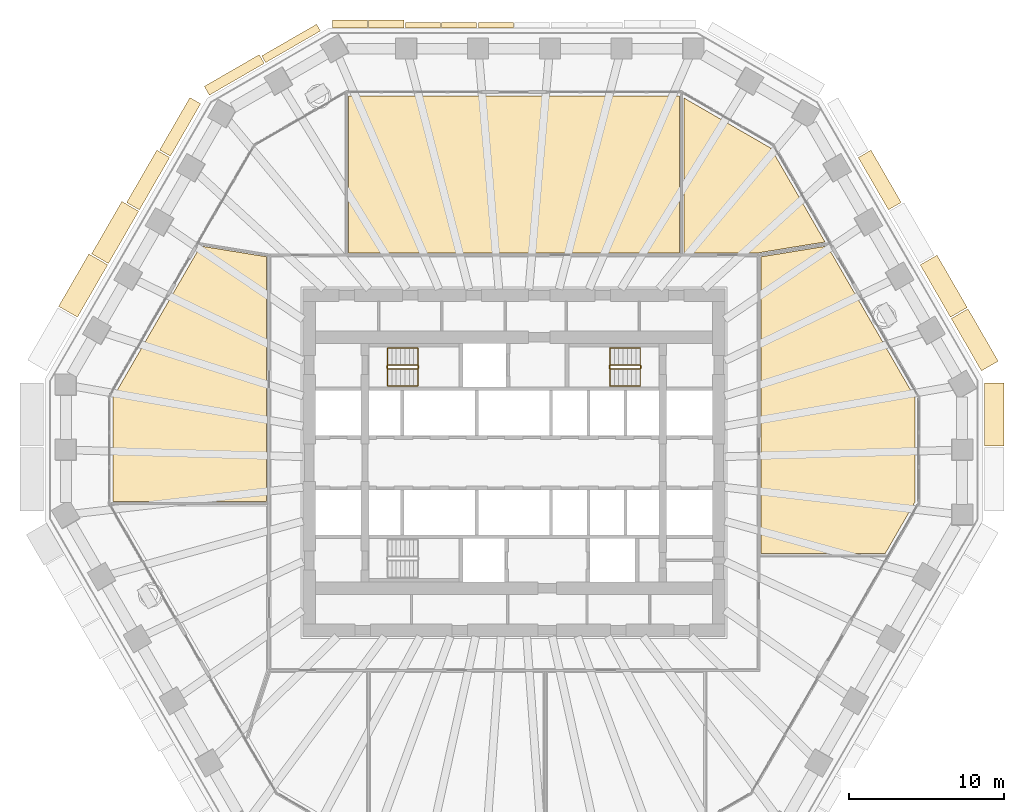
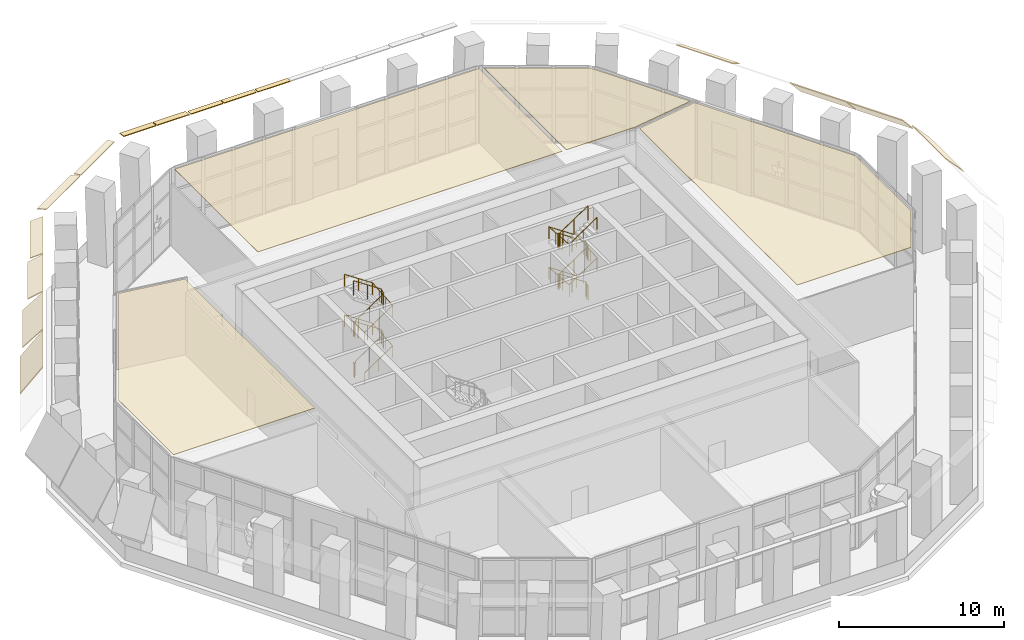
# One storey, part 19 of 22: 19 coverings, 4 railings.
"""IFC4 building model written with IfcOpenShell, lengths in metres."""

from ifc_helpers import new_model, si_unit, direction, frame, origin, origin_2d, place, context, subcontext, project, spatial, polyline, circle, outline, extrude, material, layer, layer_set, type_object, element, save


model = new_model("IFC4")

# Units and contexts
model_context = context("Model", 3, precision=1e-05, world=origin(), true_north=direction((0.0, 1.0)))
body_context = subcontext(model_context, "Body", "Model", "MODEL_VIEW")
ifc_project = project(units=[si_unit("LENGTHUNIT", "METRE"), si_unit("AREAUNIT", "SQUARE_METRE"), si_unit("VOLUMEUNIT", "CUBIC_METRE"), si_unit("PLANEANGLEUNIT", "RADIAN"), si_unit("MASSUNIT", "GRAM", prefix="KILO")], contexts=[model_context])

# Site, building, storey
site_placement = place(None, origin())
site = spatial("IfcSite", under=ifc_project, at=site_placement, CompositionType="ELEMENT")
building_placement = place(site_placement, origin())
building = spatial("IfcBuilding", under=site, at=building_placement, Name="Frailejon Research Tower", CompositionType="ELEMENT")
storey_placement = place(building_placement, frame((0.0, 0.0, 107.199951171875)))
storey = spatial("IfcBuildingStorey", under=building, at=storey_placement, Name="L23", CompositionType="ELEMENT", Elevation=107.199951171875)

# Coverings
ifc_material_1 = material(Name="Precast concrete C50/60", Category="concrete")
ifc_layer_1 = layer(ifc_material_1, 0.06005859375)
ifc_layer_set_1 = layer_set([ifc_layer_1], Name="Brim blade depth 1250")
covering_type_1 = type_object("IfcCoveringType", Name="Brim blade depth 1250", PredefinedType="CLADDING", material=ifc_layer_set_1)
covering_1_placement = place(storey_placement, frame((30.3505859375, 5.15576171875, 5.85009765625), z_axis=(0.0, -1.0, 0.0), x_axis=(1.0, 0.0, 0.0)))
element("IfcCovering", 1, at=covering_1_placement, inside=storey, type_object=covering_type_1, Name="Brim blade L23", PredefinedType="CLADDING", context=body_context, shape_type="SweptSolid", body=[
    extrude(outline(polyline([(0.0, -0.0888671875), (1.25, -1.452880859375), (1.25, -1.364013671875), (0.0, 0.0), (0.0, -0.0888671875)])), origin(), (0.0, 0.0, 1.0), 4.087646484375),
])
for number, where, z_axis, x_axis, name in (
    (2, (28.1962890625, 9.298828125, 5.85009765625), (0.500003286261, -0.866023506452, 0.0), (0.866023506452, 0.500003286261, 0.0), "Brim blade L23"),
    (3, (26.197998046875, 12.760009765625, 5.85009765625), (0.500003286261, -0.866023506452, 0.0), (0.866023506452, 0.500003286261, 0.0), "Brim blade L23"),
):
    element("IfcCovering", number, at=place(storey_placement, frame(where, z_axis=z_axis, x_axis=x_axis)), inside=storey, type_object=covering_type_1, Name=name, PredefinedType="CLADDING", context=body_context, shape_type="SweptSolid", body=[
        extrude(outline(polyline([(0.0, -0.0888671875), (1.25, -1.452880859375), (1.25, -1.364013671875), (0.0, 0.0), (0.0, -0.0888671875)])), origin(), (0.0, 0.0, 1.0), 3.896728515625),
    ])
covering_2_placement = place(storey_placement, frame((-26.14794921875, 12.8466796875, 5.85009765625), z_axis=(0.499992452251, 0.866029761435, 0.0), x_axis=(-0.866029761435, 0.499992452251, 0.0)))
element("IfcCovering", 4, at=covering_2_placement, inside=storey, type_object=covering_type_1, Name="Brim blade L23", PredefinedType="CLADDING", context=body_context, shape_type="SweptSolid", body=[
    extrude(outline(polyline([(0.0, -0.0888671875), (1.25, -1.452880859375), (1.25, -1.364013671875), (0.0, 0.0), (0.0, -0.0888671875)])), origin(), (0.0, 0.0, 1.0), 3.89697265625),
])
ifc_material_2 = material(Name="Precast concrete C50/60", Category="concrete")
ifc_layer_2 = layer(ifc_material_2, 0.06005859375)
ifc_layer_set_2 = layer_set([ifc_layer_2], Name="Brim blade depth 1400")
covering_type_2 = type_object("IfcCoveringType", Name="Brim blade depth 1400", PredefinedType="CLADDING", material=ifc_layer_set_2)
covering_3_placement = place(storey_placement, frame((-28.146484375, 9.385498046875, 5.85009765625), z_axis=(0.500003286261, 0.866023506452, 0.0), x_axis=(-0.866023506452, 0.500003286261, 0.0)))
element("IfcCovering", 5, at=covering_3_placement, inside=storey, type_object=covering_type_2, Name="Brim blade L23", PredefinedType="CLADDING", context=body_context, shape_type="SweptSolid", body=[
    extrude(outline(polyline([(0.0, -0.1044921875), (1.39990234375, -2.10400390625), (1.39990234375, -1.99951171875), (0.0, 0.0), (0.0, -0.1044921875)])), origin(), (0.0, 0.0, 1.0), 3.896728515625),
])
ifc_material_3 = material(Name="Precast concrete C50/60", Category="concrete")
ifc_layer_3 = layer(ifc_material_3, 0.06005859375)
ifc_layer_set_3 = layer_set([ifc_layer_3], Name="Brim blade depth 350")
covering_type_3 = type_object("IfcCoveringType", Name="Brim blade depth 350", PredefinedType="CLADDING", material=ifc_layer_set_3)
covering_4_placement = place(storey_placement, frame((-2.301025390625, 28.050048828125, 5.85009765625), z_axis=(1.0, 0.0, 0.0), x_axis=(0.0, 1.0, 0.0)))
element("IfcCovering", 6, at=covering_4_placement, inside=storey, type_object=covering_type_3, Name="Brim blade L23", PredefinedType="CLADDING", context=body_context, shape_type="SweptSolid", body=[
    extrude(outline(polyline([(0.0, -0.06005859375), (0.35009765625, -0.06005859375), (0.35009765625, 0.0), (0.0, 0.0), (0.0, -0.06005859375)])), origin(), (0.0, 0.0, 1.0), 2.27099609375),
])
for number, where, z_axis, x_axis, name in (
    (7, (-4.67236328125, 28.050048828125, 5.85009765625), (1.0, 0.0, 0.0), (0.0, 1.0, 0.0), "Brim blade L23"),
    (8, (-7.00341796875, 28.050048828125, 5.85009765625), (1.0, 0.0, 0.0), (0.0, 1.0, 0.0), "Brim blade L23"),
):
    element("IfcCovering", number, at=place(storey_placement, frame(where, z_axis=z_axis, x_axis=x_axis)), inside=storey, type_object=covering_type_3, Name=name, PredefinedType="CLADDING", context=body_context, shape_type="SweptSolid", body=[
        extrude(outline(polyline([(0.0, -0.06005859375), (0.35009765625, -0.06005859375), (0.35009765625, 0.0), (0.0, 0.0), (0.0, -0.06005859375)])), origin(), (0.0, 0.0, 1.0), 2.271240234375),
    ])
ifc_material_4 = material(Name="Precast concrete C50/60", Category="concrete")
ifc_layer_4 = layer(ifc_material_4, 0.06005859375)
ifc_layer_set_4 = layer_set([ifc_layer_4], Name="Brim blade depth 500")
covering_type_4 = type_object("IfcCoveringType", Name="Brim blade depth 500", PredefinedType="CLADDING", material=ifc_layer_set_4)
for number, where, z_axis, x_axis, name in (
    (9, (-9.37451171875, 28.050048828125, 5.85009765625), (1.0, 0.0, 0.0), (0.0, 1.0, 0.0), "Brim blade L23"),
    (10, (-11.70556640625, 28.050048828125, 5.85009765625), (1.0, 0.0, 0.0), (0.0, 1.0, 0.0), "Brim blade L23"),
):
    element("IfcCovering", number, at=place(storey_placement, frame(where, z_axis=z_axis, x_axis=x_axis)), inside=storey, type_object=covering_type_4, Name=name, PredefinedType="CLADDING", context=body_context, shape_type="SweptSolid", body=[
        extrude(outline(polyline([(0.0, -0.060546875), (0.5, -0.130859375), (0.5, -0.0703125), (0.0, 0.0), (0.0, -0.060546875)])), origin(), (0.0, 0.0, 1.0), 2.27099609375),
    ])
covering_5_placement = place(storey_placement, frame((-16.013916015625, 25.80029296875, 5.85009765625), z_axis=(0.866021344981, 0.500007029989, 0.0), x_axis=(-0.500007029989, 0.866021344981, 0.0)))
element("IfcCovering", 11, at=covering_5_placement, inside=storey, type_object=covering_type_4, Name="Brim blade L23", PredefinedType="CLADDING", context=body_context, shape_type="SweptSolid", body=[
    extrude(outline(polyline([(0.0, -0.060546875), (0.5, -0.130859375), (0.5, -0.0703125), (0.0, 0.0), (0.0, -0.060546875)])), origin(), (0.0, 0.0, 1.0), 4.08740234375),
])
ifc_material_5 = material(Name="Precast concrete C50/60", Category="concrete")
ifc_layer_5 = layer(ifc_material_5, 0.06005859375)
ifc_layer_set_5 = layer_set([ifc_layer_5], Name="Brim blade depth 650")
covering_type_5 = type_object("IfcCoveringType", Name="Brim blade depth 650", PredefinedType="CLADDING", material=ifc_layer_set_5)
covering_6_placement = place(storey_placement, frame((-19.640380859375, 23.70654296875, 5.85009765625), z_axis=(0.866027315287, 0.499996689166, 0.0), x_axis=(-0.499996689166, 0.866027315287, 0.0)))
element("IfcCovering", 12, at=covering_6_placement, inside=storey, type_object=covering_type_5, Name="Brim blade L23", PredefinedType="CLADDING", context=body_context, shape_type="SweptSolid", body=[
    extrude(outline(polyline([(0.0, -0.0625), (0.64990234375, -0.248779296875), (0.64990234375, -0.186279296875), (0.0, 0.0), (0.0, -0.0625)])), origin(), (0.0, 0.0, 1.0), 4.087646484375),
])
ifc_material_6 = material(Name="Precast concrete C50/60", Category="concrete")
ifc_layer_6 = layer(ifc_material_6, 0.06005859375)
ifc_layer_set_6 = layer_set([ifc_layer_6], Name="Brim blade depth 800")
covering_type_6 = type_object("IfcCoveringType", Name="Brim blade depth 800", PredefinedType="CLADDING", material=ifc_layer_set_6)
covering_7_placement = place(storey_placement, frame((-22.151123046875, 19.769287109375, 5.85009765625), z_axis=(0.500003286261, 0.866023506452, 0.0), x_axis=(-0.866023506452, 0.500003286261, 0.0)))
element("IfcCovering", 13, at=covering_7_placement, inside=storey, type_object=covering_type_6, Name="Brim blade L23", PredefinedType="CLADDING", context=body_context, shape_type="SweptSolid", body=[
    extrude(outline(polyline([(0.0, -0.065673828125), (0.800048828125, -0.421875), (0.800048828125, -0.356201171875), (0.0, 0.0), (0.0, -0.065673828125)])), origin(), (0.0, 0.0, 1.0), 3.896728515625),
])
ifc_material_7 = material(Name="Precast concrete C50/60", Category="concrete")
ifc_layer_7 = layer(ifc_material_7, 0.06005859375)
ifc_layer_set_7 = layer_set([ifc_layer_7], Name="Brim blade depth 950")
covering_type_7 = type_object("IfcCoveringType", Name="Brim blade depth 950", PredefinedType="CLADDING", material=ifc_layer_set_7)
for number, where, z_axis, x_axis, name in (
    (14, (22.201171875, 19.682861328125, 5.85009765625), (0.500003286261, -0.866023506452, 0.0), (0.866023506452, 0.500003286261, 0.0), "Brim blade L23"),
    (15, (-24.149658203125, 16.30810546875, 5.85009765625), (0.500003286261, 0.866023506452, 0.0), (-0.866023506452, 0.500003286261, 0.0), "Brim blade L23"),
):
    element("IfcCovering", number, at=place(storey_placement, frame(where, z_axis=z_axis, x_axis=x_axis)), inside=storey, type_object=covering_type_7, Name=name, PredefinedType="CLADDING", context=body_context, shape_type="SweptSolid", body=[
        extrude(outline(polyline([(0.0, -0.07080078125), (0.949951171875, -0.664306640625), (0.949951171875, -0.593505859375), (0.0, 0.0), (0.0, -0.07080078125)])), origin(), (0.0, 0.0, 1.0), 3.896728515625),
    ])

# Railings
ifc_material_8 = material(Name="Stainless steel", Category="steel")
railing_type_1 = type_object("IfcRailingType", Name="Stair guard 1100", PredefinedType="GUARDRAIL", material=ifc_material_8)
railing_1_placement = place(storey_placement, frame((-8.199951171875, 6.25, 0.0)))
element("IfcRailing", 16, at=railing_1_placement, inside=storey, type_object=railing_type_1, Name="L23 ST1 stair guard 1", PredefinedType="GUARDRAIL", context=body_context, shape_type="SweptSolid", body=[
    extrude(circle(Radius=0.02392578125, at=origin_2d()), frame((0.0, 0.0, 1.076171875), z_axis=(0.0, -1.0, 0.0), x_axis=(1.0, 0.0, 0.0)), (0.0, 0.0, 1.0), 0.14990234375),
    extrude(circle(Radius=0.02392578125, at=origin_2d()), frame((0.0, -0.14990234375, 1.076171875), z_axis=(0.249726431254, -0.249726431254, 0.935560483917), x_axis=(0.707106781187, 0.707106781187, 0.0)), (0.0, 0.0, 1.0), 0.200439453125),
    extrude(circle(Radius=0.02392578125, at=origin_2d()), frame((0.050048828125, -0.199951171875, 1.263671875), z_axis=(0.830902050051, 0.0, 0.556418712142), x_axis=(0.0, 1.0, 0.0)), (0.0, 0.0, 1.0), 2.35888671875),
    extrude(circle(Radius=0.02392578125, at=origin_2d()), frame((2.010009765625, -0.199951171875, 2.576171875), z_axis=(0.707106781187, 0.707106781187, 0.0), x_axis=(-0.707106781187, 0.707106781187, 0.0)), (0.0, 0.0, 1.0), 0.07080078125),
    extrude(circle(Radius=0.02392578125, at=origin_2d()), frame((2.06005859375, -0.14990234375, 2.576171875), z_axis=(0.0, 1.0, 0.0), x_axis=(-1.0, 0.0, 0.0)), (0.0, 0.0, 1.0), 0.14990234375),
    extrude(circle(Radius=0.02392578125, at=origin_2d()), frame((2.06005859375, 0.0, 2.576171875), z_axis=(-0.249726431254, 0.249726431254, 0.935560483917), x_axis=(-0.707106781187, -0.707106781187, 0.0)), (0.0, 0.0, 1.0), 0.200439453125),
    extrude(circle(Radius=0.02392578125, at=origin_2d()), frame((2.010009765625, 0.050048828125, 2.763671875), z_axis=(-0.830902050051, 0.0, 0.556418712142), x_axis=(0.0, -1.0, 0.0)), (0.0, 0.0, 1.0), 2.35888671875),
    extrude(circle(Radius=0.02392578125, at=origin_2d()), frame((0.050048828125, 0.050048828125, 4.076171875), z_axis=(-0.707106781187, -0.707106781187, 0.0), x_axis=(0.707106781187, -0.707106781187, 0.0)), (0.0, 0.0, 1.0), 0.07080078125),
    extrude(circle(Radius=0.02392578125, at=origin_2d()), frame((0.0, 0.0, 4.076171875), z_axis=(0.0, -1.0, 0.0), x_axis=(1.0, 0.0, 0.0)), (0.0, 0.0, 1.0), 0.14990234375),
    extrude(circle(Radius=0.02392578125, at=origin_2d()), frame((0.0, -0.14990234375, 4.076171875), z_axis=(0.249726431254, -0.249726431254, 0.935560483917), x_axis=(0.707106781187, 0.707106781187, 0.0)), (0.0, 0.0, 1.0), 0.200439453125),
    extrude(circle(Radius=0.02392578125, at=origin_2d()), frame((0.050048828125, -0.199951171875, 4.263671875), z_axis=(0.830902050051, 0.0, 0.556418712142), x_axis=(0.0, 1.0, 0.0)), (0.0, 0.0, 1.0), 2.35888671875),
    extrude(circle(Radius=0.02392578125, at=origin_2d()), frame((2.010009765625, -0.199951171875, 5.576171875), z_axis=(0.707106781187, 0.707106781187, 0.0), x_axis=(-0.707106781187, 0.707106781187, 0.0)), (0.0, 0.0, 1.0), 0.07080078125),
    extrude(circle(Radius=0.02392578125, at=origin_2d()), frame((2.06005859375, -0.14990234375, 5.576171875), z_axis=(0.0, 1.0, 0.0), x_axis=(-1.0, 0.0, 0.0)), (0.0, 0.0, 1.0), 0.14990234375),
    extrude(circle(Radius=0.02392578125, at=origin_2d()), frame((2.06005859375, 0.0, 5.576171875), z_axis=(-0.249726431254, 0.249726431254, 0.935560483917), x_axis=(-0.707106781187, -0.707106781187, 0.0)), (0.0, 0.0, 1.0), 0.200439453125),
    extrude(circle(Radius=0.02392578125, at=origin_2d()), frame((2.010009765625, 0.050048828125, 5.763671875), z_axis=(-0.830902050051, 0.0, 0.556418712142), x_axis=(0.0, -1.0, 0.0)), (0.0, 0.0, 1.0), 2.35888671875),
    extrude(circle(Radius=0.02099609375, at=origin_2d()), origin(), (0.0, 0.0, 1.0), 1.052001953125),
    extrude(circle(Radius=0.02099609375, at=origin_2d()), frame((0.0, -0.14990234375, 0.0)), (0.0, 0.0, 1.0), 1.052001953125),
    extrude(circle(Radius=0.02099609375, at=origin_2d()), frame((0.050048828125, -0.199951171875, 0.1875)), (0.0, 0.0, 1.0), 1.052001953125),
    extrude(circle(Radius=0.02099609375, at=origin_2d()), frame((1.030029296875, -0.199951171875, 0.84375)), (0.0, 0.0, 1.0), 1.052001953125),
    extrude(circle(Radius=0.02099609375, at=origin_2d()), frame((2.010009765625, -0.199951171875, 1.5)), (0.0, 0.0, 1.0), 1.052001953125),
    extrude(circle(Radius=0.02099609375, at=origin_2d()), frame((2.06005859375, -0.14990234375, 1.5)), (0.0, 0.0, 1.0), 1.052001953125),
    extrude(circle(Radius=0.02099609375, at=origin_2d()), frame((2.06005859375, 0.0, 1.5)), (0.0, 0.0, 1.0), 1.052001953125),
    extrude(circle(Radius=0.02099609375, at=origin_2d()), frame((2.010009765625, 0.050048828125, 1.6875)), (0.0, 0.0, 1.0), 1.052001953125),
    extrude(circle(Radius=0.02099609375, at=origin_2d()), frame((1.030029296875, 0.050048828125, 2.34375)), (0.0, 0.0, 1.0), 1.052001953125),
    extrude(circle(Radius=0.02099609375, at=origin_2d()), frame((0.050048828125, 0.050048828125, 3.0)), (0.0, 0.0, 1.0), 1.052001953125),
    extrude(circle(Radius=0.02099609375, at=origin_2d()), frame((0.0, 0.0, 3.0)), (0.0, 0.0, 1.0), 1.052001953125),
    extrude(circle(Radius=0.02099609375, at=origin_2d()), frame((0.0, -0.14990234375, 3.0)), (0.0, 0.0, 1.0), 1.052001953125),
    extrude(circle(Radius=0.02099609375, at=origin_2d()), frame((0.050048828125, -0.199951171875, 3.1875)), (0.0, 0.0, 1.0), 1.052001953125),
    extrude(circle(Radius=0.02099609375, at=origin_2d()), frame((1.030029296875, -0.199951171875, 3.84375)), (0.0, 0.0, 1.0), 1.052001953125),
    extrude(circle(Radius=0.02099609375, at=origin_2d()), frame((2.010009765625, -0.199951171875, 4.5)), (0.0, 0.0, 1.0), 1.052001953125),
    extrude(circle(Radius=0.02099609375, at=origin_2d()), frame((2.06005859375, -0.14990234375, 4.5)), (0.0, 0.0, 1.0), 1.052001953125),
    extrude(circle(Radius=0.02099609375, at=origin_2d()), frame((2.06005859375, 0.0, 4.5)), (0.0, 0.0, 1.0), 1.052001953125),
    extrude(circle(Radius=0.02099609375, at=origin_2d()), frame((2.010009765625, 0.050048828125, 4.6875)), (0.0, 0.0, 1.0), 1.052001953125),
    extrude(circle(Radius=0.02099609375, at=origin_2d()), frame((1.030029296875, 0.050048828125, 5.34375)), (0.0, 0.0, 1.0), 1.052001953125),
    extrude(circle(Radius=0.02099609375, at=origin_2d()), frame((0.050048828125, 0.050048828125, 6.0)), (0.0, 0.0, 1.0), 1.052001953125),
])
railing_2_placement = place(storey_placement, frame((8.199951171875, 6.10009765625, 0.0)))
element("IfcRailing", 17, at=railing_2_placement, inside=storey, type_object=railing_type_1, Name="L23 ST3 stair guard 1", PredefinedType="GUARDRAIL", context=body_context, shape_type="SweptSolid", body=[
    extrude(circle(Radius=0.02392578125, at=origin_2d()), frame((0.0, 0.0, 1.076171875), z_axis=(0.0, 1.0, 0.0), x_axis=(-1.0, 0.0, 0.0)), (0.0, 0.0, 1.0), 0.14990234375),
    extrude(circle(Radius=0.02392578125, at=origin_2d()), frame((0.0, 0.14990234375, 1.076171875), z_axis=(-0.249726431254, 0.249726431254, 0.935560483917), x_axis=(-0.707106781187, -0.707106781187, 0.0)), (0.0, 0.0, 1.0), 0.200439453125),
    extrude(circle(Radius=0.02392578125, at=origin_2d()), frame((-0.050048828125, 0.199951171875, 1.263671875), z_axis=(-0.830902050051, 0.0, 0.556418712142), x_axis=(0.0, -1.0, 0.0)), (0.0, 0.0, 1.0), 2.35888671875),
    extrude(circle(Radius=0.02392578125, at=origin_2d()), frame((-2.010009765625, 0.199951171875, 2.576171875), z_axis=(-0.707106781187, -0.707106781187, 0.0), x_axis=(0.707106781187, -0.707106781187, 0.0)), (0.0, 0.0, 1.0), 0.07080078125),
    extrude(circle(Radius=0.02392578125, at=origin_2d()), frame((-2.06005859375, 0.14990234375, 2.576171875), z_axis=(0.0, -1.0, 0.0), x_axis=(1.0, 0.0, 0.0)), (0.0, 0.0, 1.0), 0.14990234375),
    extrude(circle(Radius=0.02392578125, at=origin_2d()), frame((-2.06005859375, 0.0, 2.576171875), z_axis=(0.249726431254, -0.249726431254, 0.935560483917), x_axis=(0.707106781187, 0.707106781187, 0.0)), (0.0, 0.0, 1.0), 0.200439453125),
    extrude(circle(Radius=0.02392578125, at=origin_2d()), frame((-2.010009765625, -0.050048828125, 2.763671875), z_axis=(0.830902050051, 0.0, 0.556418712142), x_axis=(0.0, 1.0, 0.0)), (0.0, 0.0, 1.0), 2.35888671875),
    extrude(circle(Radius=0.02392578125, at=origin_2d()), frame((-0.050048828125, -0.050048828125, 4.076171875), z_axis=(0.707106781187, 0.707106781187, 0.0), x_axis=(-0.707106781187, 0.707106781187, 0.0)), (0.0, 0.0, 1.0), 0.07080078125),
    extrude(circle(Radius=0.02392578125, at=origin_2d()), frame((0.0, 0.0, 4.076171875), z_axis=(0.0, 1.0, 0.0), x_axis=(-1.0, 0.0, 0.0)), (0.0, 0.0, 1.0), 0.14990234375),
    extrude(circle(Radius=0.02392578125, at=origin_2d()), frame((0.0, 0.14990234375, 4.076171875), z_axis=(-0.249726431254, 0.249726431254, 0.935560483917), x_axis=(-0.707106781187, -0.707106781187, 0.0)), (0.0, 0.0, 1.0), 0.200439453125),
    extrude(circle(Radius=0.02392578125, at=origin_2d()), frame((-0.050048828125, 0.199951171875, 4.263671875), z_axis=(-0.830902050051, 0.0, 0.556418712142), x_axis=(0.0, -1.0, 0.0)), (0.0, 0.0, 1.0), 2.35888671875),
    extrude(circle(Radius=0.02392578125, at=origin_2d()), frame((-2.010009765625, 0.199951171875, 5.576171875), z_axis=(-0.707106781187, -0.707106781187, 0.0), x_axis=(0.707106781187, -0.707106781187, 0.0)), (0.0, 0.0, 1.0), 0.07080078125),
    extrude(circle(Radius=0.02392578125, at=origin_2d()), frame((-2.06005859375, 0.14990234375, 5.576171875), z_axis=(0.0, -1.0, 0.0), x_axis=(1.0, 0.0, 0.0)), (0.0, 0.0, 1.0), 0.14990234375),
    extrude(circle(Radius=0.02392578125, at=origin_2d()), frame((-2.06005859375, 0.0, 5.576171875), z_axis=(0.249726431254, -0.249726431254, 0.935560483917), x_axis=(0.707106781187, 0.707106781187, 0.0)), (0.0, 0.0, 1.0), 0.200439453125),
    extrude(circle(Radius=0.02392578125, at=origin_2d()), frame((-2.010009765625, -0.050048828125, 5.763671875), z_axis=(0.830902050051, 0.0, 0.556418712142), x_axis=(0.0, 1.0, 0.0)), (0.0, 0.0, 1.0), 2.35888671875),
    extrude(circle(Radius=0.02099609375, at=origin_2d()), origin(), (0.0, 0.0, 1.0), 1.052001953125),
    extrude(circle(Radius=0.02099609375, at=origin_2d()), frame((0.0, 0.14990234375, 0.0)), (0.0, 0.0, 1.0), 1.052001953125),
    extrude(circle(Radius=0.02099609375, at=origin_2d()), frame((-0.050048828125, 0.199951171875, 0.1875)), (0.0, 0.0, 1.0), 1.052001953125),
    extrude(circle(Radius=0.02099609375, at=origin_2d()), frame((-1.030029296875, 0.199951171875, 0.84375)), (0.0, 0.0, 1.0), 1.052001953125),
    extrude(circle(Radius=0.02099609375, at=origin_2d()), frame((-2.010009765625, 0.199951171875, 1.5)), (0.0, 0.0, 1.0), 1.052001953125),
    extrude(circle(Radius=0.02099609375, at=origin_2d()), frame((-2.06005859375, 0.14990234375, 1.5)), (0.0, 0.0, 1.0), 1.052001953125),
    extrude(circle(Radius=0.02099609375, at=origin_2d()), frame((-2.06005859375, 0.0, 1.5)), (0.0, 0.0, 1.0), 1.052001953125),
    extrude(circle(Radius=0.02099609375, at=origin_2d()), frame((-2.010009765625, -0.050048828125, 1.6875)), (0.0, 0.0, 1.0), 1.052001953125),
    extrude(circle(Radius=0.02099609375, at=origin_2d()), frame((-1.030029296875, -0.050048828125, 2.34375)), (0.0, 0.0, 1.0), 1.052001953125),
    extrude(circle(Radius=0.02099609375, at=origin_2d()), frame((-0.050048828125, -0.050048828125, 3.0)), (0.0, 0.0, 1.0), 1.052001953125),
    extrude(circle(Radius=0.02099609375, at=origin_2d()), frame((0.0, 0.0, 3.0)), (0.0, 0.0, 1.0), 1.052001953125),
    extrude(circle(Radius=0.02099609375, at=origin_2d()), frame((0.0, 0.14990234375, 3.0)), (0.0, 0.0, 1.0), 1.052001953125),
    extrude(circle(Radius=0.02099609375, at=origin_2d()), frame((-0.050048828125, 0.199951171875, 3.1875)), (0.0, 0.0, 1.0), 1.052001953125),
    extrude(circle(Radius=0.02099609375, at=origin_2d()), frame((-1.030029296875, 0.199951171875, 3.84375)), (0.0, 0.0, 1.0), 1.052001953125),
    extrude(circle(Radius=0.02099609375, at=origin_2d()), frame((-2.010009765625, 0.199951171875, 4.5)), (0.0, 0.0, 1.0), 1.052001953125),
    extrude(circle(Radius=0.02099609375, at=origin_2d()), frame((-2.06005859375, 0.14990234375, 4.5)), (0.0, 0.0, 1.0), 1.052001953125),
    extrude(circle(Radius=0.02099609375, at=origin_2d()), frame((-2.06005859375, 0.0, 4.5)), (0.0, 0.0, 1.0), 1.052001953125),
    extrude(circle(Radius=0.02099609375, at=origin_2d()), frame((-2.010009765625, -0.050048828125, 4.6875)), (0.0, 0.0, 1.0), 1.052001953125),
    extrude(circle(Radius=0.02099609375, at=origin_2d()), frame((-1.030029296875, -0.050048828125, 5.34375)), (0.0, 0.0, 1.0), 1.052001953125),
    extrude(circle(Radius=0.02099609375, at=origin_2d()), frame((-0.050048828125, -0.050048828125, 6.0)), (0.0, 0.0, 1.0), 1.052001953125),
])
ifc_material_9 = material(Name="Stainless steel", Category="steel")
railing_type_2 = type_object("IfcRailingType", Name="Stair handrail 900", PredefinedType="HANDRAIL", material=ifc_material_9)
railing_3_placement = place(storey_placement, frame((-8.14990234375, 4.949951171875, 0.1875)))
element("IfcRailing", 18, at=railing_3_placement, inside=storey, type_object=railing_type_2, Name="L23 ST1 stair handrail 1", PredefinedType="HANDRAIL", context=body_context, shape_type="SweptSolid", body=[
    extrude(circle(Radius=0.02392578125, at=origin_2d()), frame((0.0, 0.0, 0.8759765625), z_axis=(0.830902050051, 0.0, 0.556418712142), x_axis=(0.0, 1.0, 0.0)), (0.0, 0.0, 1.0), 2.35888671875),
    extrude(circle(Radius=0.02392578125, at=origin_2d()), frame((1.9599609375, 0.0, 2.1884765625), z_axis=(0.0, 0.997084218397, 0.07630898652), x_axis=(-1.0, 0.0, 0.0)), (0.0, 0.0, 1.0), 2.45703125),
    extrude(circle(Radius=0.02392578125, at=origin_2d()), frame((1.9599609375, 2.449951171875, 2.3759765625), z_axis=(-0.830902050051, 0.0, 0.556418712142), x_axis=(0.0, -1.0, 0.0)), (0.0, 0.0, 1.0), 2.35888671875),
    extrude(circle(Radius=0.02392578125, at=origin_2d()), frame((0.0, 2.449951171875, 3.6884765625), z_axis=(0.0, -0.997084218397, 0.07630898652), x_axis=(1.0, 0.0, 0.0)), (0.0, 0.0, 1.0), 2.45703125),
    extrude(circle(Radius=0.02392578125, at=origin_2d()), frame((0.0, 0.0, 3.8759765625), z_axis=(0.830902050051, 0.0, 0.556418712142), x_axis=(0.0, 1.0, 0.0)), (0.0, 0.0, 1.0), 2.35888671875),
    extrude(circle(Radius=0.02392578125, at=origin_2d()), frame((1.9599609375, 0.0, 5.1884765625), z_axis=(0.0, 0.997084218397, 0.07630898652), x_axis=(-1.0, 0.0, 0.0)), (0.0, 0.0, 1.0), 2.45703125),
    extrude(circle(Radius=0.02392578125, at=origin_2d()), frame((1.9599609375, 2.449951171875, 5.3759765625), z_axis=(-0.830902050051, 0.0, 0.556418712142), x_axis=(0.0, -1.0, 0.0)), (0.0, 0.0, 1.0), 2.35888671875),
    extrude(circle(Radius=0.02099609375, at=origin_2d()), origin(), (0.0, 0.0, 1.0), 0.851806640625),
    extrude(circle(Radius=0.02099609375, at=origin_2d()), frame((0.97998046875, 0.0, 0.65625)), (0.0, 0.0, 1.0), 0.851806640625),
    extrude(circle(Radius=0.02099609375, at=origin_2d()), frame((1.9599609375, 0.0, 1.3125)), (0.0, 0.0, 1.0), 0.851806640625),
    extrude(circle(Radius=0.02099609375, at=origin_2d()), frame((1.9599609375, 0.816650390625, 1.375)), (0.0, 0.0, 1.0), 0.851806640625),
    extrude(circle(Radius=0.02099609375, at=origin_2d()), frame((1.9599609375, 1.63330078125, 1.4375)), (0.0, 0.0, 1.0), 0.851806640625),
    extrude(circle(Radius=0.02099609375, at=origin_2d()), frame((1.9599609375, 2.449951171875, 1.5)), (0.0, 0.0, 1.0), 0.851806640625),
    extrude(circle(Radius=0.02099609375, at=origin_2d()), frame((0.97998046875, 2.449951171875, 2.15625)), (0.0, 0.0, 1.0), 0.851806640625),
    extrude(circle(Radius=0.02099609375, at=origin_2d()), frame((0.0, 2.449951171875, 2.8125)), (0.0, 0.0, 1.0), 0.851806640625),
    extrude(circle(Radius=0.02099609375, at=origin_2d()), frame((0.0, 1.63330078125, 2.875)), (0.0, 0.0, 1.0), 0.851806640625),
    extrude(circle(Radius=0.02099609375, at=origin_2d()), frame((0.0, 0.816650390625, 2.9375)), (0.0, 0.0, 1.0), 0.851806640625),
    extrude(circle(Radius=0.02099609375, at=origin_2d()), frame((0.0, 0.0, 3.0)), (0.0, 0.0, 1.0), 0.851806640625),
    extrude(circle(Radius=0.02099609375, at=origin_2d()), frame((0.97998046875, 0.0, 3.65625)), (0.0, 0.0, 1.0), 0.851806640625),
    extrude(circle(Radius=0.02099609375, at=origin_2d()), frame((1.9599609375, 0.0, 4.3125)), (0.0, 0.0, 1.0), 0.851806640625),
    extrude(circle(Radius=0.02099609375, at=origin_2d()), frame((1.9599609375, 0.816650390625, 4.375)), (0.0, 0.0, 1.0), 0.851806640625),
    extrude(circle(Radius=0.02099609375, at=origin_2d()), frame((1.9599609375, 1.63330078125, 4.4375)), (0.0, 0.0, 1.0), 0.851806640625),
    extrude(circle(Radius=0.02099609375, at=origin_2d()), frame((1.9599609375, 2.449951171875, 4.5)), (0.0, 0.0, 1.0), 0.851806640625),
    extrude(circle(Radius=0.02099609375, at=origin_2d()), frame((0.97998046875, 2.449951171875, 5.15625)), (0.0, 0.0, 1.0), 0.851806640625),
    extrude(circle(Radius=0.02099609375, at=origin_2d()), frame((0.0, 2.449951171875, 5.8125)), (0.0, 0.0, 1.0), 0.851806640625),
])
railing_4_placement = place(storey_placement, frame((8.14990234375, 7.39990234375, 0.1875)))
element("IfcRailing", 19, at=railing_4_placement, inside=storey, type_object=railing_type_2, Name="L23 ST3 stair handrail 1", PredefinedType="HANDRAIL", context=body_context, shape_type="SweptSolid", body=[
    extrude(circle(Radius=0.02392578125, at=origin_2d()), frame((0.0, 0.0, 0.8759765625), z_axis=(-0.830902050051, 0.0, 0.556418712142), x_axis=(0.0, -1.0, 0.0)), (0.0, 0.0, 1.0), 2.35888671875),
    extrude(circle(Radius=0.02392578125, at=origin_2d()), frame((-1.9599609375, 0.0, 2.1884765625), z_axis=(0.0, -0.997084218397, 0.07630898652), x_axis=(1.0, 0.0, 0.0)), (0.0, 0.0, 1.0), 2.45703125),
    extrude(circle(Radius=0.02392578125, at=origin_2d()), frame((-1.9599609375, -2.449951171875, 2.3759765625), z_axis=(0.830902050051, 0.0, 0.556418712142), x_axis=(0.0, 1.0, 0.0)), (0.0, 0.0, 1.0), 2.35888671875),
    extrude(circle(Radius=0.02392578125, at=origin_2d()), frame((0.0, -2.449951171875, 3.6884765625), z_axis=(0.0, 0.997084218397, 0.07630898652), x_axis=(-1.0, 0.0, 0.0)), (0.0, 0.0, 1.0), 2.45703125),
    extrude(circle(Radius=0.02392578125, at=origin_2d()), frame((0.0, 0.0, 3.8759765625), z_axis=(-0.830902050051, 0.0, 0.556418712142), x_axis=(0.0, -1.0, 0.0)), (0.0, 0.0, 1.0), 2.35888671875),
    extrude(circle(Radius=0.02392578125, at=origin_2d()), frame((-1.9599609375, 0.0, 5.1884765625), z_axis=(0.0, -0.997084218397, 0.07630898652), x_axis=(1.0, 0.0, 0.0)), (0.0, 0.0, 1.0), 2.45703125),
    extrude(circle(Radius=0.02392578125, at=origin_2d()), frame((-1.9599609375, -2.449951171875, 5.3759765625), z_axis=(0.830902050051, 0.0, 0.556418712142), x_axis=(0.0, 1.0, 0.0)), (0.0, 0.0, 1.0), 2.35888671875),
    extrude(circle(Radius=0.02099609375, at=origin_2d()), origin(), (0.0, 0.0, 1.0), 0.851806640625),
    extrude(circle(Radius=0.02099609375, at=origin_2d()), frame((-0.97998046875, 0.0, 0.65625)), (0.0, 0.0, 1.0), 0.851806640625),
    extrude(circle(Radius=0.02099609375, at=origin_2d()), frame((-1.9599609375, 0.0, 1.3125)), (0.0, 0.0, 1.0), 0.851806640625),
    extrude(circle(Radius=0.02099609375, at=origin_2d()), frame((-1.9599609375, -0.816650390625, 1.375)), (0.0, 0.0, 1.0), 0.851806640625),
    extrude(circle(Radius=0.02099609375, at=origin_2d()), frame((-1.9599609375, -1.63330078125, 1.4375)), (0.0, 0.0, 1.0), 0.851806640625),
    extrude(circle(Radius=0.02099609375, at=origin_2d()), frame((-1.9599609375, -2.449951171875, 1.5)), (0.0, 0.0, 1.0), 0.851806640625),
    extrude(circle(Radius=0.02099609375, at=origin_2d()), frame((-0.97998046875, -2.449951171875, 2.15625)), (0.0, 0.0, 1.0), 0.851806640625),
    extrude(circle(Radius=0.02099609375, at=origin_2d()), frame((0.0, -2.449951171875, 2.8125)), (0.0, 0.0, 1.0), 0.851806640625),
    extrude(circle(Radius=0.02099609375, at=origin_2d()), frame((0.0, -1.63330078125, 2.875)), (0.0, 0.0, 1.0), 0.851806640625),
    extrude(circle(Radius=0.02099609375, at=origin_2d()), frame((0.0, -0.816650390625, 2.9375)), (0.0, 0.0, 1.0), 0.851806640625),
    extrude(circle(Radius=0.02099609375, at=origin_2d()), frame((0.0, 0.0, 3.0)), (0.0, 0.0, 1.0), 0.851806640625),
    extrude(circle(Radius=0.02099609375, at=origin_2d()), frame((-0.97998046875, 0.0, 3.65625)), (0.0, 0.0, 1.0), 0.851806640625),
    extrude(circle(Radius=0.02099609375, at=origin_2d()), frame((-1.9599609375, 0.0, 4.3125)), (0.0, 0.0, 1.0), 0.851806640625),
    extrude(circle(Radius=0.02099609375, at=origin_2d()), frame((-1.9599609375, -0.816650390625, 4.375)), (0.0, 0.0, 1.0), 0.851806640625),
    extrude(circle(Radius=0.02099609375, at=origin_2d()), frame((-1.9599609375, -1.63330078125, 4.4375)), (0.0, 0.0, 1.0), 0.851806640625),
    extrude(circle(Radius=0.02099609375, at=origin_2d()), frame((-1.9599609375, -2.449951171875, 4.5)), (0.0, 0.0, 1.0), 0.851806640625),
    extrude(circle(Radius=0.02099609375, at=origin_2d()), frame((-0.97998046875, -2.449951171875, 5.15625)), (0.0, 0.0, 1.0), 0.851806640625),
    extrude(circle(Radius=0.02099609375, at=origin_2d()), frame((0.0, -2.449951171875, 5.8125)), (0.0, 0.0, 1.0), 0.851806640625),
])

# Coverings
ifc_material_10 = material(Name="Mineral fibre ceiling board")
ifc_layer_8 = layer(ifc_material_10, 0.0400390625)
ifc_layer_set_8 = layer_set([ifc_layer_8], Name="Suspended ceiling 40")
covering_type_8 = type_object("IfcCoveringType", Name="Suspended ceiling 40", PredefinedType="CEILING", material=ifc_layer_set_8)
covering_8_placement = place(storey_placement, frame((0.0, 0.0, 5.66015625)))
element("IfcCovering", 20, at=covering_8_placement, inside=storey, type_object=covering_type_8, Name="Ceiling Sky lobby lounge L23-002", PredefinedType="CEILING", context=body_context, shape_type="SweptSolid", body=[
    extrude(outline(polyline([(25.851806640625, 4.20263671875), (20.208984375, 13.976318359375), (15.93994140625, 13.281005859375), (15.93994140625, -5.86474609375), (23.93408203125, -5.86474609375), (25.851806640625, -2.543212890625), (25.851806640625, 4.20263671875)])), origin(), (0.0, 0.0, 1.0), 0.039794921875),
])
covering_9_placement = place(storey_placement, frame((0.0, 0.0, 5.66015625)))
element("IfcCovering", 21, at=covering_9_placement, inside=storey, type_object=covering_type_8, Name="Ceiling Fitness room L23-003", PredefinedType="CEILING", context=body_context, shape_type="SweptSolid", body=[
    extrude(outline(polyline([(10.954345703125, 13.5400390625), (15.788818359375, 13.5400390625), (20.059326171875, 14.235595703125), (16.5654296875, 20.287109375), (10.954345703125, 23.526611328125), (10.954345703125, 13.5400390625)])), origin(), (0.0, 0.0, 1.0), 0.039794921875),
])
covering_10_placement = place(storey_placement, frame((0.0, 0.0, 5.66015625)))
element("IfcCovering", 22, at=covering_10_placement, inside=storey, type_object=covering_type_8, Name="Ceiling Library reading room L23-004", PredefinedType="CEILING", context=body_context, shape_type="SweptSolid", body=[
    extrude(outline(polyline([(-10.67431640625, 13.5400390625), (10.67431640625, 13.5400390625), (10.67431640625, 23.659912109375), (-10.67431640625, 23.659912109375), (-10.67431640625, 13.5400390625)])), origin(), (0.0, 0.0, 1.0), 0.039794921875),
])
covering_11_placement = place(storey_placement, frame((0.0, 0.0, 5.66015625)))
element("IfcCovering", 23, at=covering_11_placement, inside=storey, type_object=covering_type_8, Name="Ceiling Business centre L23-006", PredefinedType="CEILING", context=body_context, shape_type="SweptSolid", body=[
    extrude(outline(polyline([(-15.93994140625, -2.494384765625), (-15.93994140625, 13.281005859375), (-20.208984375, 13.976318359375), (-25.851806640625, 4.20263671875), (-25.851806640625, -2.494384765625), (-15.93994140625, -2.494384765625)])), origin(), (0.0, 0.0, 1.0), 0.039794921875),
])

save(model, "model.ifc")
